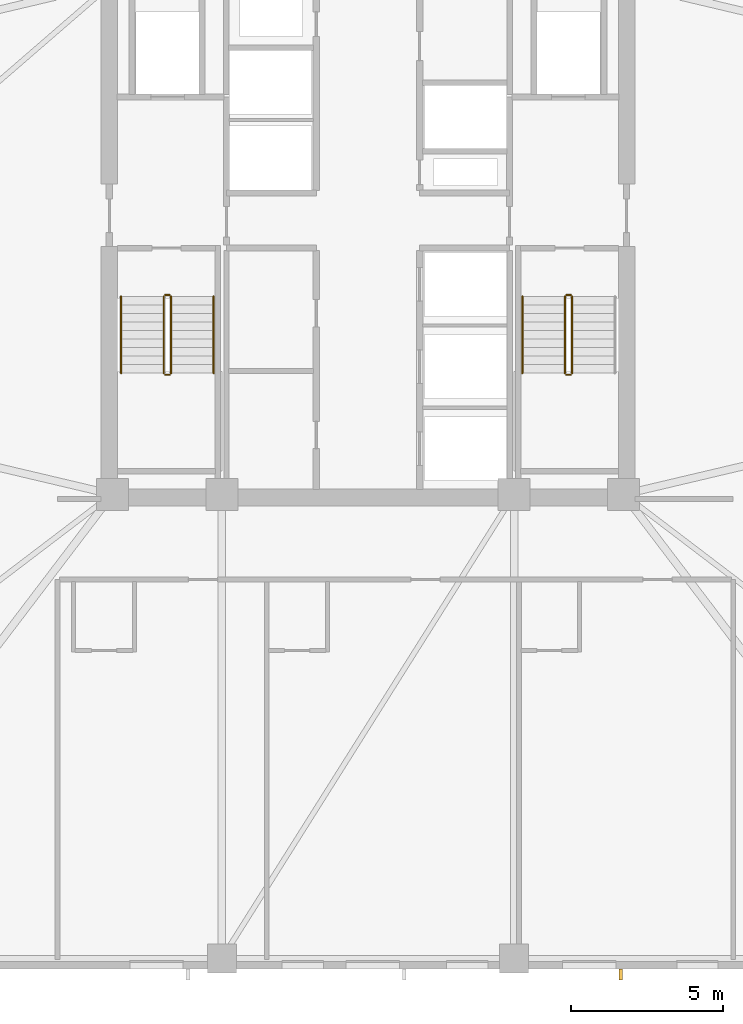
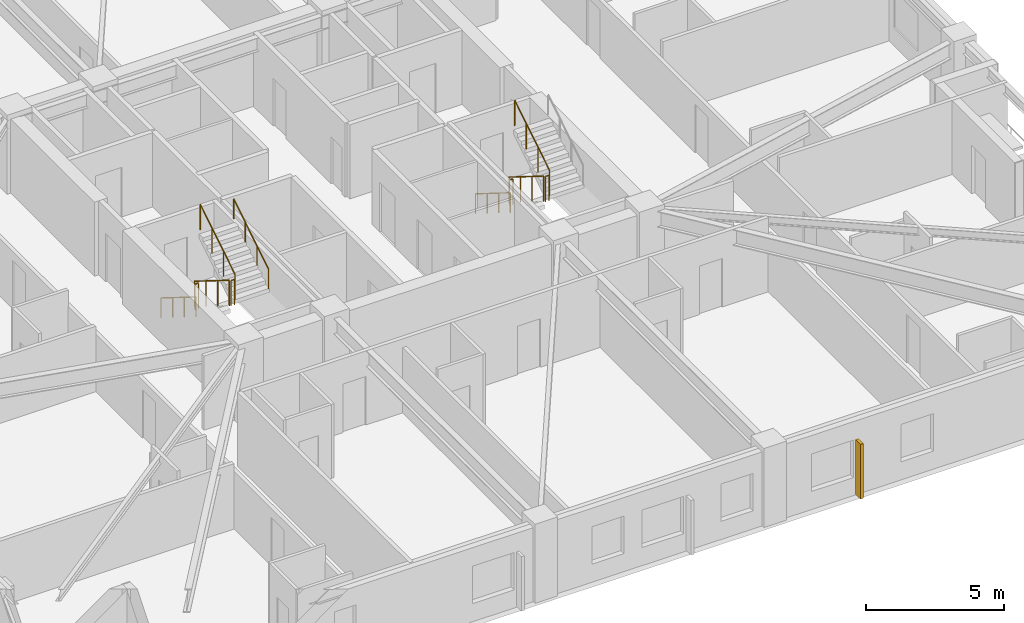
# One storey, part 8 of 11: 11 railings, 1 shading device.
"""IFC4 building model written with IfcOpenShell, lengths in metres."""

from ifc_helpers import new_model, si_unit, direction, frame, origin, origin_2d, place, context, subcontext, project, spatial, rectangle, circle, extrude, material, type_object, element, save


model = new_model("IFC4")

# Units and contexts
model_context = context("Model", 3, precision=1e-05, world=origin(), true_north=direction((0.0, 1.0)))
body_context = subcontext(model_context, "Body", "Model", "MODEL_VIEW")
ifc_project = project(units=[si_unit("LENGTHUNIT", "METRE"), si_unit("AREAUNIT", "SQUARE_METRE"), si_unit("VOLUMEUNIT", "CUBIC_METRE"), si_unit("PLANEANGLEUNIT", "RADIAN"), si_unit("MASSUNIT", "GRAM", prefix="KILO")], contexts=[model_context])

# Site, building, storey
site_placement = place(None, origin())
site = spatial("IfcSite", under=ifc_project, at=site_placement, CompositionType="ELEMENT")
building_placement = place(site_placement, origin())
building = spatial("IfcBuilding", under=site, at=building_placement, Name="Cairnveth Concourse Tower", CompositionType="ELEMENT")
storey_placement = place(building_placement, frame((0.0, 0.0, 172.5)))
storey = spatial("IfcBuildingStorey", under=building, at=storey_placement, Name="L47", CompositionType="ELEMENT", Elevation=172.5)

# Shading device
ifc_material_1 = material(Name="Architectural Bronze Anodised Aluminium 6063-T6", Category="aluminium")
shading_device_type = type_object("IfcShadingDeviceType", Name="GOTHIC BRONZE VERTICAL LANCET FIN", PredefinedType="USERDEFINED", material=ifc_material_1)
shading_device_placement = place(storey_placement, frame((60.301025390625, 14.824951171875, 0.030029296875), z_axis=(0.0, 0.0, 1.0), x_axis=(1.0, 0.0, 0.0)))
element("IfcShadingDevice", 1, at=shading_device_placement, inside=storey, type_object=shading_device_type, Name="Gothic Bronze Vertical Fin L47-3-3", ObjectType="VERTICAL FIN", PredefinedType="USERDEFINED", context=body_context, shape_type="SweptSolid", body=[
    extrude(rectangle(XDim=0.1201171875, YDim=0.360107421875, at=origin_2d()), origin(), (0.0, 0.0, 1.0), 2.419921875),
])

# Railings
ifc_material_2 = material(Name="Steel Grade 350", Category="steel")
railing_type_1 = type_object("IfcRailingType", Name="STAIR GUARDRAIL 1150", PredefinedType="GUARDRAIL", material=ifc_material_2)
railing_1_placement = place(storey_placement, frame((45.2900390625, 37.10009765625, 0.175048828125)))
element("IfcRailing", 2, at=railing_1_placement, inside=storey, type_object=railing_type_1, Name="L47 ST-1 stair guard 1", PredefinedType="GUARDRAIL", context=body_context, shape_type="SweptSolid", body=[
    extrude(circle(Radius=0.02392578125, at=origin_2d()), frame((0.0, 0.0, 1.1259765625), z_axis=(0.0, -0.848007534815, 0.529984170421), x_axis=(1.0, 0.0, 0.0)), (0.0, 0.0, 1.0), 2.9716796875),
    extrude(circle(Radius=0.02099609375, at=origin_2d()), origin(), (0.0, 0.0, 1.0), 1.101806640625),
    extrude(circle(Radius=0.02099609375, at=origin_2d()), frame((0.0, -0.840087890625, 0.52490234375)), (0.0, 0.0, 1.0), 1.101806640625),
    extrude(circle(Radius=0.02099609375, at=origin_2d()), frame((0.0, -1.679931640625, 1.050048828125)), (0.0, 0.0, 1.0), 1.101806640625),
    extrude(circle(Radius=0.02099609375, at=origin_2d()), frame((0.0, -2.52001953125, 1.574951171875)), (0.0, 0.0, 1.0), 1.101806640625),
])
railing_2_placement = place(storey_placement, frame((45.340087890625, 34.530029296875, 1.75)))
element("IfcRailing", 3, at=railing_2_placement, inside=storey, type_object=railing_type_1, Name="L47 ST-1 stair guard 2", PredefinedType="GUARDRAIL", context=body_context, shape_type="SweptSolid", body=[
    extrude(circle(Radius=0.02392578125, at=origin_2d()), frame((0.0, 0.0, 1.1259765625), z_axis=(1.0, 0.0, 0.0), x_axis=(0.0, 1.0, 0.0)), (0.0, 0.0, 1.0), 0.139892578125),
    extrude(circle(Radius=0.02099609375, at=origin_2d()), origin(), (0.0, 0.0, 1.0), 1.101806640625),
    extrude(circle(Radius=0.02099609375, at=origin_2d()), frame((0.139892578125, 0.0, 0.0)), (0.0, 0.0, 1.0), 1.101806640625),
])
railing_3_placement = place(storey_placement, frame((45.530029296875, 34.580078125, 1.925048828125)))
element("IfcRailing", 4, at=railing_3_placement, inside=storey, type_object=railing_type_1, Name="L47 ST-1 stair guard 3", PredefinedType="GUARDRAIL", context=body_context, shape_type="SweptSolid", body=[
    extrude(circle(Radius=0.02392578125, at=origin_2d()), frame((0.0, 0.0, 1.1259765625), z_axis=(0.0, 0.848007534815, 0.529984170421), x_axis=(-1.0, 0.0, 0.0)), (0.0, 0.0, 1.0), 2.9716796875),
    extrude(circle(Radius=0.02099609375, at=origin_2d()), origin(), (0.0, 0.0, 1.0), 1.101806640625),
    extrude(circle(Radius=0.02099609375, at=origin_2d()), frame((0.0, 0.840087890625, 0.52490234375)), (0.0, 0.0, 1.0), 1.101806640625),
    extrude(circle(Radius=0.02099609375, at=origin_2d()), frame((0.0, 1.679931640625, 1.050048828125)), (0.0, 0.0, 1.0), 1.101806640625),
    extrude(circle(Radius=0.02099609375, at=origin_2d()), frame((0.0, 2.52001953125, 1.574951171875)), (0.0, 0.0, 1.0), 1.101806640625),
])
railing_4_placement = place(storey_placement, frame((45.340087890625, 37.14990234375, 0.0)))
element("IfcRailing", 5, at=railing_4_placement, inside=storey, type_object=railing_type_1, Name="L47 ST-1 stair guard 4", PredefinedType="GUARDRAIL", context=body_context, shape_type="SweptSolid", body=[
    extrude(circle(Radius=0.02392578125, at=origin_2d()), frame((0.0, 0.0, 1.1259765625), z_axis=(1.0, 0.0, 0.0), x_axis=(0.0, 1.0, 0.0)), (0.0, 0.0, 1.0), 0.139892578125),
    extrude(circle(Radius=0.02099609375, at=origin_2d()), origin(), (0.0, 0.0, 1.0), 1.101806640625),
    extrude(circle(Radius=0.02099609375, at=origin_2d()), frame((0.139892578125, 0.0, 0.0)), (0.0, 0.0, 1.0), 1.101806640625),
])
railing_5_placement = place(storey_placement, frame((58.469970703125, 37.10009765625, 0.175048828125)))
element("IfcRailing", 6, at=railing_5_placement, inside=storey, type_object=railing_type_1, Name="L47 ST-2 stair guard 1", PredefinedType="GUARDRAIL", context=body_context, shape_type="SweptSolid", body=[
    extrude(circle(Radius=0.02392578125, at=origin_2d()), frame((0.0, 0.0, 1.1259765625), z_axis=(0.0, -0.848007534815, 0.529984170421), x_axis=(1.0, 0.0, 0.0)), (0.0, 0.0, 1.0), 2.9716796875),
    extrude(circle(Radius=0.02099609375, at=origin_2d()), origin(), (0.0, 0.0, 1.0), 1.101806640625),
    extrude(circle(Radius=0.02099609375, at=origin_2d()), frame((0.0, -0.840087890625, 0.52490234375)), (0.0, 0.0, 1.0), 1.101806640625),
    extrude(circle(Radius=0.02099609375, at=origin_2d()), frame((0.0, -1.679931640625, 1.050048828125)), (0.0, 0.0, 1.0), 1.101806640625),
    extrude(circle(Radius=0.02099609375, at=origin_2d()), frame((0.0, -2.52001953125, 1.574951171875)), (0.0, 0.0, 1.0), 1.101806640625),
])
railing_6_placement = place(storey_placement, frame((58.52001953125, 34.530029296875, 1.75)))
element("IfcRailing", 7, at=railing_6_placement, inside=storey, type_object=railing_type_1, Name="L47 ST-2 stair guard 2", PredefinedType="GUARDRAIL", context=body_context, shape_type="SweptSolid", body=[
    extrude(circle(Radius=0.02392578125, at=origin_2d()), frame((0.0, 0.0, 1.1259765625), z_axis=(1.0, 0.0, 0.0), x_axis=(0.0, 1.0, 0.0)), (0.0, 0.0, 1.0), 0.139892578125),
    extrude(circle(Radius=0.02099609375, at=origin_2d()), origin(), (0.0, 0.0, 1.0), 1.101806640625),
    extrude(circle(Radius=0.02099609375, at=origin_2d()), frame((0.139892578125, 0.0, 0.0)), (0.0, 0.0, 1.0), 1.101806640625),
])
railing_7_placement = place(storey_placement, frame((58.7099609375, 34.580078125, 1.925048828125)))
element("IfcRailing", 8, at=railing_7_placement, inside=storey, type_object=railing_type_1, Name="L47 ST-2 stair guard 3", PredefinedType="GUARDRAIL", context=body_context, shape_type="SweptSolid", body=[
    extrude(circle(Radius=0.02392578125, at=origin_2d()), frame((0.0, 0.0, 1.1259765625), z_axis=(0.0, 0.848007534815, 0.529984170421), x_axis=(-1.0, 0.0, 0.0)), (0.0, 0.0, 1.0), 2.9716796875),
    extrude(circle(Radius=0.02099609375, at=origin_2d()), origin(), (0.0, 0.0, 1.0), 1.101806640625),
    extrude(circle(Radius=0.02099609375, at=origin_2d()), frame((0.0, 0.840087890625, 0.52490234375)), (0.0, 0.0, 1.0), 1.101806640625),
    extrude(circle(Radius=0.02099609375, at=origin_2d()), frame((0.0, 1.679931640625, 1.050048828125)), (0.0, 0.0, 1.0), 1.101806640625),
    extrude(circle(Radius=0.02099609375, at=origin_2d()), frame((0.0, 2.52001953125, 1.574951171875)), (0.0, 0.0, 1.0), 1.101806640625),
])
railing_8_placement = place(storey_placement, frame((58.52001953125, 37.14990234375, 0.0)))
element("IfcRailing", 9, at=railing_8_placement, inside=storey, type_object=railing_type_1, Name="L47 ST-2 stair guard 4", PredefinedType="GUARDRAIL", context=body_context, shape_type="SweptSolid", body=[
    extrude(circle(Radius=0.02392578125, at=origin_2d()), frame((0.0, 0.0, 1.1259765625), z_axis=(1.0, 0.0, 0.0), x_axis=(0.0, 1.0, 0.0)), (0.0, 0.0, 1.0), 0.139892578125),
    extrude(circle(Radius=0.02099609375, at=origin_2d()), origin(), (0.0, 0.0, 1.0), 1.101806640625),
    extrude(circle(Radius=0.02099609375, at=origin_2d()), frame((0.139892578125, 0.0, 0.0)), (0.0, 0.0, 1.0), 1.101806640625),
])
railing_type_2 = type_object("IfcRailingType", Name="STAIR WALL HANDRAIL 900", PredefinedType="HANDRAIL", material=ifc_material_2)
railing_9_placement = place(storey_placement, frame((43.889892578125, 37.10009765625, 0.175048828125)))
element("IfcRailing", 10, at=railing_9_placement, inside=storey, type_object=railing_type_2, Name="L47 ST-1 stair handrail 1", PredefinedType="HANDRAIL", context=body_context, shape_type="SweptSolid", body=[
    extrude(circle(Radius=0.02392578125, at=origin_2d()), frame((0.0, 0.0, 0.8759765625), z_axis=(0.0, -0.848007534815, 0.529984170421), x_axis=(1.0, 0.0, 0.0)), (0.0, 0.0, 1.0), 2.9716796875),
    extrude(circle(Radius=0.02099609375, at=origin_2d()), origin(), (0.0, 0.0, 1.0), 0.851806640625),
    extrude(circle(Radius=0.02099609375, at=origin_2d()), frame((0.0, -0.840087890625, 0.52490234375)), (0.0, 0.0, 1.0), 0.851806640625),
    extrude(circle(Radius=0.02099609375, at=origin_2d()), frame((0.0, -1.679931640625, 1.050048828125)), (0.0, 0.0, 1.0), 0.851806640625),
    extrude(circle(Radius=0.02099609375, at=origin_2d()), frame((0.0, -2.52001953125, 1.574951171875)), (0.0, 0.0, 1.0), 0.851806640625),
])
railing_10_placement = place(storey_placement, frame((46.929931640625, 34.580078125, 1.925048828125)))
element("IfcRailing", 11, at=railing_10_placement, inside=storey, type_object=railing_type_2, Name="L47 ST-1 stair handrail 2", PredefinedType="HANDRAIL", context=body_context, shape_type="SweptSolid", body=[
    extrude(circle(Radius=0.02392578125, at=origin_2d()), frame((0.0, 0.0, 0.8759765625), z_axis=(0.0, 0.848007534815, 0.529984170421), x_axis=(-1.0, 0.0, 0.0)), (0.0, 0.0, 1.0), 2.9716796875),
    extrude(circle(Radius=0.02099609375, at=origin_2d()), origin(), (0.0, 0.0, 1.0), 0.851806640625),
    extrude(circle(Radius=0.02099609375, at=origin_2d()), frame((0.0, 0.840087890625, 0.52490234375)), (0.0, 0.0, 1.0), 0.851806640625),
    extrude(circle(Radius=0.02099609375, at=origin_2d()), frame((0.0, 1.679931640625, 1.050048828125)), (0.0, 0.0, 1.0), 0.851806640625),
    extrude(circle(Radius=0.02099609375, at=origin_2d()), frame((0.0, 2.52001953125, 1.574951171875)), (0.0, 0.0, 1.0), 0.851806640625),
])
railing_11_placement = place(storey_placement, frame((57.070068359375, 37.10009765625, 0.175048828125)))
element("IfcRailing", 12, at=railing_11_placement, inside=storey, type_object=railing_type_2, Name="L47 ST-2 stair handrail 1", PredefinedType="HANDRAIL", context=body_context, shape_type="SweptSolid", body=[
    extrude(circle(Radius=0.02392578125, at=origin_2d()), frame((0.0, 0.0, 0.8759765625), z_axis=(0.0, -0.848007534815, 0.529984170421), x_axis=(1.0, 0.0, 0.0)), (0.0, 0.0, 1.0), 2.9716796875),
    extrude(circle(Radius=0.02099609375, at=origin_2d()), origin(), (0.0, 0.0, 1.0), 0.851806640625),
    extrude(circle(Radius=0.02099609375, at=origin_2d()), frame((0.0, -0.840087890625, 0.52490234375)), (0.0, 0.0, 1.0), 0.851806640625),
    extrude(circle(Radius=0.02099609375, at=origin_2d()), frame((0.0, -1.679931640625, 1.050048828125)), (0.0, 0.0, 1.0), 0.851806640625),
    extrude(circle(Radius=0.02099609375, at=origin_2d()), frame((0.0, -2.52001953125, 1.574951171875)), (0.0, 0.0, 1.0), 0.851806640625),
])

save(model, "model.ifc")
